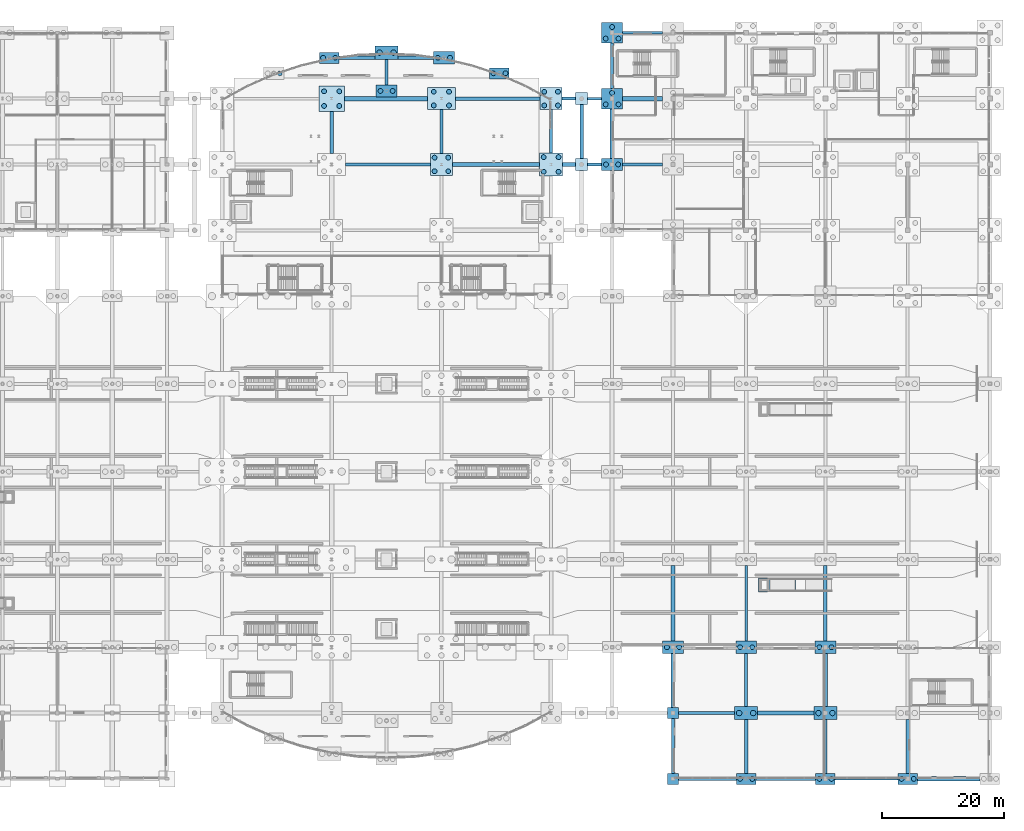
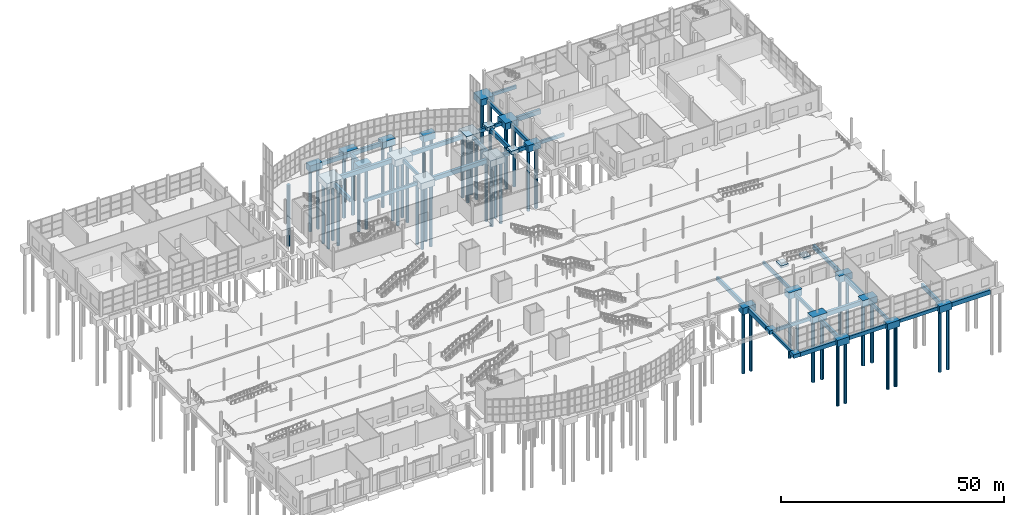
# One storey, part 6 of 115: 62 footings, 55 piles.
"""IFC4 building model written with IfcOpenShell, lengths in metres."""

from ifc_helpers import new_model, si_unit, direction, frame, origin, origin_2d, place, context, subcontext, project, spatial, rectangle, circle, extrude, material, material_profile, profile_set, type_object, element, save


model = new_model("IFC4")

# Units and contexts
model_context = context("Model", 3, precision=1e-05, world=origin(), true_north=direction((0.0, 1.0)))
body_context = subcontext(model_context, "Body", "Model", "MODEL_VIEW")
ifc_project = project(units=[si_unit("LENGTHUNIT", "METRE"), si_unit("AREAUNIT", "SQUARE_METRE"), si_unit("VOLUMEUNIT", "CUBIC_METRE"), si_unit("PLANEANGLEUNIT", "RADIAN"), si_unit("MASSUNIT", "GRAM", prefix="KILO")], contexts=[model_context])

# Site, building, storey
site_placement = place(None, origin())
site = spatial("IfcSite", under=ifc_project, at=site_placement, CompositionType="ELEMENT")
building_placement = place(site_placement, origin())
building = spatial("IfcBuilding", under=site, at=building_placement, Name="Tamarisk Ironworks Central Station", CompositionType="ELEMENT")
storey_placement = place(building_placement, origin())
storey = spatial("IfcBuildingStorey", under=building, at=storey_placement, Name="L00", CompositionType="ELEMENT", Elevation=0.0)

# Footings
ifc_material = material(Name="Concrete C40/50", Category="concrete")
footing_type_1 = type_object("IfcFootingType", Name="CAP-PC02", PredefinedType="PILE_CAP", material=ifc_material)
footing_1_placement = place(storey_placement, frame((90.0, 111.60009765625, -1.7998046875), z_axis=(0.0, 0.0, 1.0), x_axis=(1.0, 0.0, 0.0)))
element("IfcFooting", 1, at=footing_1_placement, inside=storey, type_object=footing_type_1, Name="Pile cap V2-12L", PredefinedType="PILE_CAP", context=body_context, shape_type="SweptSolid", body=[
    extrude(rectangle(XDim=4.60009765625, YDim=3.60009765625, at=origin_2d()), origin(), (0.0, 0.0, 1.0), 1.800048828125),
])
footing_type_2 = type_object("IfcFootingType", Name="CAP-PC03", PredefinedType="PILE_CAP", material=ifc_material)
footing_2_placement = place(storey_placement, frame((72.0, 111.60009765625, -1.7998046875), z_axis=(0.0, 0.0, 1.0), x_axis=(1.0, 0.0, 0.0)))
element("IfcFooting", 2, at=footing_2_placement, inside=storey, type_object=footing_type_2, Name="Pile cap V2-09L", PredefinedType="PILE_CAP", context=body_context, shape_type="SweptSolid", body=[
    extrude(rectangle(XDim=4.199951171875, YDim=4.199951171875, at=origin_2d()), origin(), (0.0, 0.0, 1.0), 1.800048828125),
])
footing_type_3 = type_object("IfcFootingType", Name="CAP-PC04", PredefinedType="PILE_CAP", material=ifc_material)
footing_3_placement = place(storey_placement, frame((108.0, 100.800048828125, -1.7998046875), z_axis=(0.0, 0.0, 1.0), x_axis=(1.0, 0.0, 0.0)))
element("IfcFooting", 3, at=footing_3_placement, inside=storey, type_object=footing_type_3, Name="Pile cap V2-14J", PredefinedType="PILE_CAP", context=body_context, shape_type="SweptSolid", body=[
    extrude(rectangle(XDim=3.800048828125, YDim=3.800048828125, at=origin_2d()), origin(), (0.0, 0.0, 1.0), 1.800048828125),
])
footing_type_4 = type_object("IfcFootingType", Name="CAP-PC05", PredefinedType="PILE_CAP", material=ifc_material)
for number, where, z_axis, x_axis, name in (
    (4, (90.0, 100.800048828125, -1.7998046875), (0.0, 0.0, 1.0), (1.0, 0.0, 0.0), "Pile cap V2-12J"),
    (5, (108.0, 111.60009765625, -1.7998046875), (0.0, 0.0, 1.0), (1.0, 0.0, 0.0), "Pile cap V2-14L"),
):
    element("IfcFooting", number, at=place(storey_placement, frame(where, z_axis=z_axis, x_axis=x_axis)), inside=storey, type_object=footing_type_4, Name=name, PredefinedType="PILE_CAP", context=body_context, shape_type="SweptSolid", body=[
        extrude(rectangle(XDim=3.60009765625, YDim=3.60009765625, at=origin_2d()), origin(), (0.0, 0.0, 1.0), 1.800048828125),
    ])
footing_type_5 = type_object("IfcFootingType", Name="CAP-PC06", PredefinedType="PILE_CAP", material=ifc_material)
for number, where, z_axis, x_axis, name in (
    (6, (118.0, 111.60009765625, -1.7998046875), (0.0, 0.0, 1.0), (1.0, 0.0, 0.0), "Pile cap V5-15L"),
    (7, (118.0, 122.39990234375, -1.7998046875), (0.0, 0.0, 1.0), (1.0, 0.0, 0.0), "Pile cap V5-15N"),
):
    element("IfcFooting", number, at=place(storey_placement, frame(where, z_axis=z_axis, x_axis=x_axis)), inside=storey, type_object=footing_type_5, Name=name, PredefinedType="PILE_CAP", context=body_context, shape_type="SweptSolid", body=[
        extrude(rectangle(XDim=3.39990234375, YDim=3.39990234375, at=origin_2d()), origin(), (0.0, 0.0, 1.0), 1.800048828125),
    ])
footing_type_6 = type_object("IfcFootingType", Name="CAP-PC07", PredefinedType="PILE_CAP", material=ifc_material)
for number, where, z_axis, x_axis, name in (
    (8, (81.0, 119.158935546875, -1.7998046875), (0.0, 0.0, 1.0), (1.0, 0.0, 0.0), "Pile cap V2-NN06"),
    (9, (140.0, 10.800048828125, -1.7998046875), (0.0, 0.0, 1.0), (1.0, 0.0, 0.0), "Pile cap V5S-17B"),
    (10, (153.0, 10.800048828125, -1.7998046875), (0.0, 0.0, 1.0), (1.0, 0.0, 0.0), "Pile cap V5S-18B"),
):
    element("IfcFooting", number, at=place(storey_placement, frame(where, z_axis=z_axis, x_axis=x_axis)), inside=storey, type_object=footing_type_6, Name=name, PredefinedType="PILE_CAP", context=body_context, shape_type="SweptSolid", body=[
        extrude(rectangle(XDim=3.800048828125, YDim=2.199951171875, at=origin_2d()), origin(), (0.0, 0.0, 1.0), 1.800048828125),
    ])
footing_type_7 = type_object("IfcFootingType", Name="CAP-PC08", PredefinedType="PILE_CAP", material=ifc_material)
for number, where, z_axis, x_axis, name in (
    (11, (81.0, 112.860107421875, -1.7998046875), (0.0, 0.0, 1.0), (1.0, 0.0, 0.0), "Pile cap V2-NAC"),
    (12, (90.410888671875, 118.30029296875, -1.7998046875), (0.0, 0.0, 1.0), (1.0, 0.0, 0.0), "Pile cap V2-NN08"),
    (13, (118.0, 100.800048828125, -1.7998046875), (0.0, 0.0, 1.0), (1.0, 0.0, 0.0), "Pile cap V5-15J"),
    (14, (128.0, 21.60009765625, -1.7998046875), (0.0, 0.0, 1.0), (1.0, 0.0, 0.0), "Pile cap V5S-16C"),
    (15, (140.0, 21.60009765625, -1.7998046875), (0.0, 0.0, 1.0), (1.0, 0.0, 0.0), "Pile cap V5S-17C"),
    (16, (153.0, 21.60009765625, -1.7998046875), (0.0, 0.0, 1.0), (1.0, 0.0, 0.0), "Pile cap V5S-18C"),
):
    element("IfcFooting", number, at=place(storey_placement, frame(where, z_axis=z_axis, x_axis=x_axis)), inside=storey, type_object=footing_type_7, Name=name, PredefinedType="PILE_CAP", context=body_context, shape_type="SweptSolid", body=[
        extrude(rectangle(XDim=3.39990234375, YDim=2.0, at=origin_2d()), origin(), (0.0, 0.0, 1.0), 1.800048828125),
    ])
footing_type_8 = type_object("IfcFootingType", Name="CAP-PC09", PredefinedType="PILE_CAP", material=ifc_material)
for number, where, z_axis, x_axis, name in (
    (17, (71.589111328125, 118.30029296875, -1.7998046875), (0.0, 0.0, 1.0), (1.0, 0.0, 0.0), "Pile cap V2-NN04"),
    (18, (99.51123046875, 115.752685546875, -1.7998046875), (0.0, 0.0, 1.0), (1.0, 0.0, 0.0), "Pile cap V2-NN10"),
    (19, (140.0, 0.0, -1.7998046875), (0.0, 0.0, 1.0), (1.0, 0.0, 0.0), "Pile cap V5S-17A"),
    (20, (153.0, 0.0, -1.7998046875), (0.0, 0.0, 1.0), (1.0, 0.0, 0.0), "Pile cap V5S-18A"),
    (21, (166.5, 0.0, -1.7998046875), (0.0, 0.0, 1.0), (1.0, 0.0, 0.0), "Pile cap V5S-19A"),
):
    element("IfcFooting", number, at=place(storey_placement, frame(where, z_axis=z_axis, x_axis=x_axis)), inside=storey, type_object=footing_type_8, Name=name, PredefinedType="PILE_CAP", context=body_context, shape_type="SweptSolid", body=[
        extrude(rectangle(XDim=3.199951171875, YDim=1.800048828125, at=origin_2d()), origin(), (0.0, 0.0, 1.0), 1.800048828125),
    ])
ifc_material_profile_1 = material_profile(ifc_material, rectangle(XDim=0.699951171875, YDim=1.199951171875, at=origin_2d()), Name="GB01 700x1200")
ifc_profile_set_1 = profile_set([ifc_material_profile_1], Name="Concrete C40/50")
footing_type_9 = type_object("IfcFootingType", Name="GB-01", PredefinedType="FOOTING_BEAM", material=ifc_profile_set_1)
footing_4_placement = place(storey_placement, frame((168.10009765625, 0.0, -1.050048828125), z_axis=(1.0, 0.0, 0.0), x_axis=(0.0, 1.0, 0.0)))
element("IfcFooting", 22, at=footing_4_placement, inside=storey, type_object=footing_type_9, Name="Ground tie beam GB-X-009", PredefinedType="FOOTING_BEAM", context=body_context, shape_type="SweptSolid", body=[
    extrude(rectangle(XDim=0.699951171875, YDim=1.199951171875, at=origin_2d()), origin(), (0.0, 0.0, 1.0), 10.2998046875),
])
footing_5_placement = place(storey_placement, frame((141.89990234375, 10.800048828125, -1.050048828125), z_axis=(1.0, 0.0, 0.0), x_axis=(0.0, 1.0, 0.0)))
element("IfcFooting", 23, at=footing_5_placement, inside=storey, type_object=footing_type_9, Name="Ground tie beam GB-X-025", PredefinedType="FOOTING_BEAM", context=body_context, shape_type="SweptSolid", body=[
    extrude(rectangle(XDim=0.699951171875, YDim=1.199951171875, at=origin_2d()), origin(), (0.0, 0.0, 1.0), 9.2001953125),
])
footing_6_placement = place(storey_placement, frame((91.800048828125, 100.800048828125, -1.050048828125), z_axis=(1.0, 0.0, 0.0), x_axis=(0.0, 1.0, 0.0)))
element("IfcFooting", 24, at=footing_6_placement, inside=storey, type_object=footing_type_9, Name="Ground tie beam GB-X-097", PredefinedType="FOOTING_BEAM", context=body_context, shape_type="SweptSolid", body=[
    extrude(rectangle(XDim=0.699951171875, YDim=1.199951171875, at=origin_2d()), origin(), (0.0, 0.0, 1.0), 14.300048828125),
])
footing_7_placement = place(storey_placement, frame((74.10009765625, 111.60009765625, -1.050048828125), z_axis=(1.0, 0.0, 0.0), x_axis=(0.0, 1.0, 0.0)))
element("IfcFooting", 25, at=footing_7_placement, inside=storey, type_object=footing_type_9, Name="Ground tie beam GB-X-113", PredefinedType="FOOTING_BEAM", context=body_context, shape_type="SweptSolid", body=[
    extrude(rectangle(XDim=0.699951171875, YDim=1.199951171875, at=origin_2d()), origin(), (0.0, 0.0, 1.0), 13.599853515625),
])
footing_8_placement = place(storey_placement, frame((119.699951171875, 111.60009765625, -1.050048828125), z_axis=(1.0, 0.0, 0.0), x_axis=(0.0, 1.0, 0.0)))
element("IfcFooting", 26, at=footing_8_placement, inside=storey, type_object=footing_type_9, Name="Ground tie beam GB-X-117", PredefinedType="FOOTING_BEAM", context=body_context, shape_type="SweptSolid", body=[
    extrude(rectangle(XDim=0.699951171875, YDim=1.199951171875, at=origin_2d()), origin(), (0.0, 0.0, 1.0), 6.60009765625),
])
footing_9_placement = place(storey_placement, frame((128.0, 11.699951171875, -1.050048828125), z_axis=(0.0, 1.0, 0.0), x_axis=(-1.0, 0.0, 0.0)))
element("IfcFooting", 27, at=footing_9_placement, inside=storey, type_object=footing_type_9, Name="Ground tie beam GB-Y-241", PredefinedType="FOOTING_BEAM", context=body_context, shape_type="SweptSolid", body=[
    extrude(rectangle(XDim=0.699951171875, YDim=1.199951171875, at=origin_2d()), origin(), (0.0, 0.0, 1.0), 8.900146484375),
])
footing_10_placement = place(storey_placement, frame((153.0, 11.89990234375, -1.050048828125), z_axis=(0.0, 1.0, 0.0), x_axis=(-1.0, 0.0, 0.0)))
element("IfcFooting", 28, at=footing_10_placement, inside=storey, type_object=footing_type_9, Name="Ground tie beam GB-Y-261", PredefinedType="FOOTING_BEAM", context=body_context, shape_type="SweptSolid", body=[
    extrude(rectangle(XDim=0.699951171875, YDim=1.199951171875, at=origin_2d()), origin(), (0.0, 0.0, 1.0), 8.7001953125),
])
ifc_material_profile_2 = material_profile(ifc_material, rectangle(XDim=0.60009765625, YDim=1.10009765625, at=origin_2d()), Name="GB02 600x1100")
ifc_profile_set_2 = profile_set([ifc_material_profile_2], Name="Concrete C40/50")
footing_type_10 = type_object("IfcFootingType", Name="GB-02", PredefinedType="FOOTING_BEAM", material=ifc_profile_set_2)
footing_11_placement = place(storey_placement, frame((128.89990234375, 0.0, -1.0), z_axis=(1.0, 0.0, 0.0), x_axis=(0.0, 1.0, 0.0)))
element("IfcFooting", 29, at=footing_11_placement, inside=storey, type_object=footing_type_10, Name="Ground tie beam GB-X-006", PredefinedType="FOOTING_BEAM", context=body_context, shape_type="SweptSolid", body=[
    extrude(rectangle(XDim=0.60009765625, YDim=1.10009765625, at=origin_2d()), origin(), (0.0, 0.0, 1.0), 9.5),
])
footing_12_placement = place(storey_placement, frame((109.89990234375, 100.800048828125, -1.0), z_axis=(1.0, 0.0, 0.0), x_axis=(0.0, 1.0, 0.0)))
element("IfcFooting", 30, at=footing_12_placement, inside=storey, type_object=footing_type_10, Name="Ground tie beam GB-X-098", PredefinedType="FOOTING_BEAM", context=body_context, shape_type="SweptSolid", body=[
    extrude(rectangle(XDim=0.60009765625, YDim=1.10009765625, at=origin_2d()), origin(), (0.0, 0.0, 1.0), 2.10009765625),
])
footing_13_placement = place(storey_placement, frame((92.300048828125, 111.60009765625, -1.0), z_axis=(1.0, 0.0, 0.0), x_axis=(0.0, 1.0, 0.0)))
element("IfcFooting", 31, at=footing_13_placement, inside=storey, type_object=footing_type_10, Name="Ground tie beam GB-X-114", PredefinedType="FOOTING_BEAM", context=body_context, shape_type="SweptSolid", body=[
    extrude(rectangle(XDim=0.60009765625, YDim=1.10009765625, at=origin_2d()), origin(), (0.0, 0.0, 1.0), 13.89990234375),
])
footing_14_placement = place(storey_placement, frame((73.18896484375, 118.30029296875, -1.0), z_axis=(1.0, 0.0, 0.0), x_axis=(0.0, 1.0, 0.0)))
element("IfcFooting", 32, at=footing_14_placement, inside=storey, type_object=footing_type_10, Name="Ground tie beam GB-X-122", PredefinedType="FOOTING_BEAM", context=body_context, shape_type="SweptSolid", body=[
    extrude(rectangle(XDim=0.60009765625, YDim=1.10009765625, at=origin_2d()), origin(), (0.0, 0.0, 1.0), 15.52197265625),
])
footing_15_placement = place(storey_placement, frame((72.0, 102.60009765625, -1.0), z_axis=(0.0, 1.0, 0.0), x_axis=(-1.0, 0.0, 0.0)))
element("IfcFooting", 33, at=footing_15_placement, inside=storey, type_object=footing_type_10, Name="Ground tie beam GB-Y-210", PredefinedType="FOOTING_BEAM", context=body_context, shape_type="SweptSolid", body=[
    extrude(rectangle(XDim=0.60009765625, YDim=1.10009765625, at=origin_2d()), origin(), (0.0, 0.0, 1.0), 6.89990234375),
])
footing_16_placement = place(storey_placement, frame((113.0, 101.800048828125, -1.0), z_axis=(0.0, 1.0, 0.0), x_axis=(-1.0, 0.0, 0.0)))
element("IfcFooting", 34, at=footing_16_placement, inside=storey, type_object=footing_type_10, Name="Ground tie beam GB-Y-230", PredefinedType="FOOTING_BEAM", context=body_context, shape_type="SweptSolid", body=[
    extrude(rectangle(XDim=0.60009765625, YDim=1.10009765625, at=origin_2d()), origin(), (0.0, 0.0, 1.0), 8.800048828125),
])
footing_17_placement = place(storey_placement, frame((118.0, 101.800048828125, -1.0), z_axis=(0.0, 1.0, 0.0), x_axis=(-1.0, 0.0, 0.0)))
element("IfcFooting", 35, at=footing_17_placement, inside=storey, type_object=footing_type_10, Name="Ground tie beam GB-Y-238", PredefinedType="FOOTING_BEAM", context=body_context, shape_type="SweptSolid", body=[
    extrude(rectangle(XDim=0.60009765625, YDim=1.10009765625, at=origin_2d()), origin(), (0.0, 0.0, 1.0), 8.099853515625),
])
footing_18_placement = place(storey_placement, frame((128.0, 22.60009765625, -1.0), z_axis=(0.0, 1.0, 0.0), x_axis=(-1.0, 0.0, 0.0)))
element("IfcFooting", 36, at=footing_18_placement, inside=storey, type_object=footing_type_10, Name="Ground tie beam GB-Y-242", PredefinedType="FOOTING_BEAM", context=body_context, shape_type="SweptSolid", body=[
    extrude(rectangle(XDim=0.60009765625, YDim=1.10009765625, at=origin_2d()), origin(), (0.0, 0.0, 1.0), 12.39990234375),
])
footing_19_placement = place(storey_placement, frame((140.0, 0.89990234375, -1.0), z_axis=(0.0, 1.0, 0.0), x_axis=(-1.0, 0.0, 0.0)))
element("IfcFooting", 37, at=footing_19_placement, inside=storey, type_object=footing_type_10, Name="Ground tie beam GB-Y-250", PredefinedType="FOOTING_BEAM", context=body_context, shape_type="SweptSolid", body=[
    extrude(rectangle(XDim=0.60009765625, YDim=1.10009765625, at=origin_2d()), origin(), (0.0, 0.0, 1.0), 8.800048828125),
])
footing_20_placement = place(storey_placement, frame((153.0, 22.60009765625, -1.0), z_axis=(0.0, 1.0, 0.0), x_axis=(-1.0, 0.0, 0.0)))
element("IfcFooting", 38, at=footing_20_placement, inside=storey, type_object=footing_type_10, Name="Ground tie beam GB-Y-262", PredefinedType="FOOTING_BEAM", context=body_context, shape_type="SweptSolid", body=[
    extrude(rectangle(XDim=0.60009765625, YDim=1.10009765625, at=origin_2d()), origin(), (0.0, 0.0, 1.0), 12.39990234375),
])
footing_21_placement = place(storey_placement, frame((166.5, 0.89990234375, -1.0), z_axis=(0.0, 1.0, 0.0), x_axis=(-1.0, 0.0, 0.0)))
element("IfcFooting", 39, at=footing_21_placement, inside=storey, type_object=footing_type_10, Name="Ground tie beam GB-Y-270", PredefinedType="FOOTING_BEAM", context=body_context, shape_type="SweptSolid", body=[
    extrude(rectangle(XDim=0.60009765625, YDim=1.10009765625, at=origin_2d()), origin(), (0.0, 0.0, 1.0), 8.800048828125),
])
ifc_material_profile_3 = material_profile(ifc_material, rectangle(XDim=0.5, YDim=1.0, at=origin_2d()), Name="GB03 500x1000")
ifc_profile_set_3 = profile_set([ifc_material_profile_3], Name="Concrete C40/50")
footing_type_11 = type_object("IfcFootingType", Name="GB-03", PredefinedType="FOOTING_BEAM", material=ifc_profile_set_3)
footing_22_placement = place(storey_placement, frame((141.60009765625, 0.0, -0.949951171875), z_axis=(1.0, 0.0, 0.0), x_axis=(0.0, 1.0, 0.0)))
element("IfcFooting", 40, at=footing_22_placement, inside=storey, type_object=footing_type_11, Name="Ground tie beam GB-X-007", PredefinedType="FOOTING_BEAM", context=body_context, shape_type="SweptSolid", body=[
    extrude(rectangle(XDim=0.5, YDim=1.0, at=origin_2d()), origin(), (0.0, 0.0, 1.0), 9.7998046875),
])
footing_23_placement = place(storey_placement, frame((114.0, 100.800048828125, -0.949951171875), z_axis=(1.0, 0.0, 0.0), x_axis=(0.0, 1.0, 0.0)))
element("IfcFooting", 41, at=footing_23_placement, inside=storey, type_object=footing_type_11, Name="Ground tie beam GB-X-099", PredefinedType="FOOTING_BEAM", context=body_context, shape_type="SweptSolid", body=[
    extrude(rectangle(XDim=0.5, YDim=1.0, at=origin_2d()), origin(), (0.0, 0.0, 1.0), 2.300048828125),
])
footing_24_placement = place(storey_placement, frame((109.800048828125, 111.60009765625, -0.949951171875), z_axis=(1.0, 0.0, 0.0), x_axis=(0.0, 1.0, 0.0)))
element("IfcFooting", 42, at=footing_24_placement, inside=storey, type_object=footing_type_11, Name="Ground tie beam GB-X-115", PredefinedType="FOOTING_BEAM", context=body_context, shape_type="SweptSolid", body=[
    extrude(rectangle(XDim=0.5, YDim=1.0, at=origin_2d()), origin(), (0.0, 0.0, 1.0), 2.199951171875),
])
footing_25_placement = place(storey_placement, frame((118.0, 113.300048828125, -0.949951171875), z_axis=(0.0, 1.0, 0.0), x_axis=(-1.0, 0.0, 0.0)))
element("IfcFooting", 43, at=footing_25_placement, inside=storey, type_object=footing_type_11, Name="Ground tie beam GB-Y-239", PredefinedType="FOOTING_BEAM", context=body_context, shape_type="SweptSolid", body=[
    extrude(rectangle(XDim=0.5, YDim=1.0, at=origin_2d()), origin(), (0.0, 0.0, 1.0), 7.39990234375),
])
footing_26_placement = place(storey_placement, frame((140.0, 11.89990234375, -0.949951171875), z_axis=(0.0, 1.0, 0.0), x_axis=(-1.0, 0.0, 0.0)))
element("IfcFooting", 44, at=footing_26_placement, inside=storey, type_object=footing_type_11, Name="Ground tie beam GB-Y-251", PredefinedType="FOOTING_BEAM", context=body_context, shape_type="SweptSolid", body=[
    extrude(rectangle(XDim=0.5, YDim=1.0, at=origin_2d()), origin(), (0.0, 0.0, 1.0), 8.7001953125),
])
ifc_material_profile_4 = material_profile(ifc_material, rectangle(XDim=0.449951171875, YDim=0.89990234375, at=origin_2d()), Name="GB04 450x900")
ifc_profile_set_4 = profile_set([ifc_material_profile_4], Name="Concrete C40/50")
footing_type_12 = type_object("IfcFootingType", Name="GB-04", PredefinedType="FOOTING_BEAM", material=ifc_profile_set_4)
footing_27_placement = place(storey_placement, frame((154.60009765625, 0.0, -0.89990234375), z_axis=(1.0, 0.0, 0.0), x_axis=(0.0, 1.0, 0.0)))
element("IfcFooting", 45, at=footing_27_placement, inside=storey, type_object=footing_type_12, Name="Ground tie beam GB-X-008", PredefinedType="FOOTING_BEAM", context=body_context, shape_type="SweptSolid", body=[
    extrude(rectangle(XDim=0.449951171875, YDim=0.89990234375, at=origin_2d()), origin(), (0.0, 0.0, 1.0), 10.2998046875),
])
footing_28_placement = place(storey_placement, frame((128.89990234375, 10.800048828125, -0.89990234375), z_axis=(1.0, 0.0, 0.0), x_axis=(0.0, 1.0, 0.0)))
element("IfcFooting", 46, at=footing_28_placement, inside=storey, type_object=footing_type_12, Name="Ground tie beam GB-X-024", PredefinedType="FOOTING_BEAM", context=body_context, shape_type="SweptSolid", body=[
    extrude(rectangle(XDim=0.449951171875, YDim=0.89990234375, at=origin_2d()), origin(), (0.0, 0.0, 1.0), 9.2001953125),
])
footing_29_placement = place(storey_placement, frame((74.300048828125, 100.800048828125, -0.89990234375), z_axis=(1.0, 0.0, 0.0), x_axis=(0.0, 1.0, 0.0)))
element("IfcFooting", 47, at=footing_29_placement, inside=storey, type_object=footing_type_12, Name="Ground tie beam GB-X-096", PredefinedType="FOOTING_BEAM", context=body_context, shape_type="SweptSolid", body=[
    extrude(rectangle(XDim=0.449951171875, YDim=0.89990234375, at=origin_2d()), origin(), (0.0, 0.0, 1.0), 13.89990234375),
])
footing_30_placement = place(storey_placement, frame((119.699951171875, 100.800048828125, -0.89990234375), z_axis=(1.0, 0.0, 0.0), x_axis=(0.0, 1.0, 0.0)))
element("IfcFooting", 48, at=footing_30_placement, inside=storey, type_object=footing_type_12, Name="Ground tie beam GB-X-100", PredefinedType="FOOTING_BEAM", context=body_context, shape_type="SweptSolid", body=[
    extrude(rectangle(XDim=0.449951171875, YDim=0.89990234375, at=origin_2d()), origin(), (0.0, 0.0, 1.0), 6.60009765625),
])
footing_31_placement = place(storey_placement, frame((114.0, 111.60009765625, -0.89990234375), z_axis=(1.0, 0.0, 0.0), x_axis=(0.0, 1.0, 0.0)))
element("IfcFooting", 49, at=footing_31_placement, inside=storey, type_object=footing_type_12, Name="Ground tie beam GB-X-116", PredefinedType="FOOTING_BEAM", context=body_context, shape_type="SweptSolid", body=[
    extrude(rectangle(XDim=0.449951171875, YDim=0.89990234375, at=origin_2d()), origin(), (0.0, 0.0, 1.0), 2.300048828125),
])
footing_32_placement = place(storey_placement, frame((119.699951171875, 122.39990234375, -0.89990234375), z_axis=(1.0, 0.0, 0.0), x_axis=(0.0, 1.0, 0.0)))
element("IfcFooting", 50, at=footing_32_placement, inside=storey, type_object=footing_type_12, Name="Ground tie beam GB-X-128", PredefinedType="FOOTING_BEAM", context=body_context, shape_type="SweptSolid", body=[
    extrude(rectangle(XDim=0.449951171875, YDim=0.89990234375, at=origin_2d()), origin(), (0.0, 0.0, 1.0), 6.60009765625),
])
footing_33_placement = place(storey_placement, frame((81.0, 113.860107421875, -0.89990234375), z_axis=(0.0, 1.0, 0.0), x_axis=(-1.0, 0.0, 0.0)))
element("IfcFooting", 51, at=footing_33_placement, inside=storey, type_object=footing_type_12, Name="Ground tie beam GB-Y-212", PredefinedType="FOOTING_BEAM", context=body_context, shape_type="SweptSolid", body=[
    extrude(rectangle(XDim=0.449951171875, YDim=0.89990234375, at=origin_2d()), origin(), (0.0, 0.0, 1.0), 4.198974609375),
])
footing_34_placement = place(storey_placement, frame((90.0, 102.60009765625, -0.89990234375), z_axis=(0.0, 1.0, 0.0), x_axis=(-1.0, 0.0, 0.0)))
element("IfcFooting", 52, at=footing_34_placement, inside=storey, type_object=footing_type_12, Name="Ground tie beam GB-Y-220", PredefinedType="FOOTING_BEAM", context=body_context, shape_type="SweptSolid", body=[
    extrude(rectangle(XDim=0.449951171875, YDim=0.89990234375, at=origin_2d()), origin(), (0.0, 0.0, 1.0), 7.199951171875),
])
footing_35_placement = place(storey_placement, frame((108.0, 102.699951171875, -0.89990234375), z_axis=(0.0, 1.0, 0.0), x_axis=(-1.0, 0.0, 0.0)))
element("IfcFooting", 53, at=footing_35_placement, inside=storey, type_object=footing_type_12, Name="Ground tie beam GB-Y-228", PredefinedType="FOOTING_BEAM", context=body_context, shape_type="SweptSolid", body=[
    extrude(rectangle(XDim=0.449951171875, YDim=0.89990234375, at=origin_2d()), origin(), (0.0, 0.0, 1.0), 7.10009765625),
])
footing_36_placement = place(storey_placement, frame((128.0, 0.89990234375, -0.89990234375), z_axis=(0.0, 1.0, 0.0), x_axis=(-1.0, 0.0, 0.0)))
element("IfcFooting", 54, at=footing_36_placement, inside=storey, type_object=footing_type_12, Name="Ground tie beam GB-Y-240", PredefinedType="FOOTING_BEAM", context=body_context, shape_type="SweptSolid", body=[
    extrude(rectangle(XDim=0.449951171875, YDim=0.89990234375, at=origin_2d()), origin(), (0.0, 0.0, 1.0), 9.0),
])
footing_37_placement = place(storey_placement, frame((140.0, 22.60009765625, -0.89990234375), z_axis=(0.0, 1.0, 0.0), x_axis=(-1.0, 0.0, 0.0)))
element("IfcFooting", 55, at=footing_37_placement, inside=storey, type_object=footing_type_12, Name="Ground tie beam GB-Y-252", PredefinedType="FOOTING_BEAM", context=body_context, shape_type="SweptSolid", body=[
    extrude(rectangle(XDim=0.449951171875, YDim=0.89990234375, at=origin_2d()), origin(), (0.0, 0.0, 1.0), 12.39990234375),
])
footing_38_placement = place(storey_placement, frame((153.0, 0.89990234375, -0.89990234375), z_axis=(0.0, 1.0, 0.0), x_axis=(-1.0, 0.0, 0.0)))
element("IfcFooting", 56, at=footing_38_placement, inside=storey, type_object=footing_type_12, Name="Ground tie beam GB-Y-260", PredefinedType="FOOTING_BEAM", context=body_context, shape_type="SweptSolid", body=[
    extrude(rectangle(XDim=0.449951171875, YDim=0.89990234375, at=origin_2d()), origin(), (0.0, 0.0, 1.0), 8.800048828125),
])
footing_type_13 = type_object("IfcFootingType", Name="PAD-PF01", PredefinedType="PAD_FOOTING", material=ifc_material)
footing_39_placement = place(storey_placement, frame((142.9599609375, 31.800048828125, -0.60009765625), z_axis=(0.0, 0.0, 1.0), x_axis=(1.0, 0.0, 0.0)))
element("IfcFooting", 57, at=footing_39_placement, inside=storey, type_object=footing_type_13, Name="RMP-P2E arrival landing pad footing", PredefinedType="PAD_FOOTING", context=body_context, shape_type="SweptSolid", body=[
    extrude(rectangle(XDim=1.89990234375, YDim=2.280029296875, at=origin_2d()), origin(), (0.0, 0.0, 1.0), 0.60009765625),
])
footing_type_14 = type_object("IfcFootingType", Name="PAD-PF02", PredefinedType="PAD_FOOTING", material=ifc_material)
footing_40_placement = place(storey_placement, frame((148.8798828125, 31.800048828125, -0.5), z_axis=(0.0, 0.0, 1.0), x_axis=(1.0, 0.0, 0.0)))
element("IfcFooting", 58, at=footing_40_placement, inside=storey, type_object=footing_type_14, Name="RMP-P2E mid-landing plinth footing", PredefinedType="PAD_FOOTING", context=body_context, shape_type="SweptSolid", body=[
    extrude(rectangle(XDim=1.760009765625, YDim=2.080078125, at=origin_2d()), origin(), (0.0, 0.0, 1.0), 0.699951171875),
])
footing_type_15 = type_object("IfcFootingType", Name="PAD-PF03", PredefinedType="PAD_FOOTING", material=ifc_material)
for number, where, z_axis, x_axis, name in (
    (59, (113.0, 100.800048828125, -1.0), (0.0, 0.0, 1.0), (1.0, 0.0, 0.0), "Pad footing CN-E2"),
    (60, (113.0, 111.60009765625, -1.0), (0.0, 0.0, 1.0), (1.0, 0.0, 0.0), "Pad footing CN-E3"),
):
    element("IfcFooting", number, at=place(storey_placement, frame(where, z_axis=z_axis, x_axis=x_axis)), inside=storey, type_object=footing_type_15, Name=name, PredefinedType="PAD_FOOTING", context=body_context, shape_type="SweptSolid", body=[
        extrude(rectangle(XDim=2.0, YDim=2.0, at=origin_2d()), origin(), (0.0, 0.0, 1.0), 1.0),
    ])
footing_type_16 = type_object("IfcFootingType", Name="PAD-PF04", PredefinedType="PAD_FOOTING", material=ifc_material)
for number, where, z_axis, x_axis, name in (
    (61, (128.0, 0.0, -1.0), (0.0, 0.0, 1.0), (1.0, 0.0, 0.0), "Pad footing V5S-16A"),
    (62, (128.0, 10.800048828125, -1.0), (0.0, 0.0, 1.0), (1.0, 0.0, 0.0), "Pad footing V5S-16B"),
):
    element("IfcFooting", number, at=place(storey_placement, frame(where, z_axis=z_axis, x_axis=x_axis)), inside=storey, type_object=footing_type_16, Name=name, PredefinedType="PAD_FOOTING", context=body_context, shape_type="SweptSolid", body=[
        extrude(rectangle(XDim=1.800048828125, YDim=1.800048828125, at=origin_2d()), origin(), (0.0, 0.0, 1.0), 1.0),
    ])

# Piles
ifc_material_profile_5 = material_profile(ifc_material, circle(Radius=0.39990234375, at=origin_2d()), Name="BORED PILE D800")
ifc_profile_set_5 = profile_set([ifc_material_profile_5], Name="Concrete C40/50")
pile_type_1 = type_object("IfcPileType", Name="PILE-D800", PredefinedType="BORED", material=ifc_profile_set_5)
for number, where, z_axis, x_axis, name in (
    (63, (70.75, 110.39990234375, -1.64990234375), (0.0, 0.0, -1.0), (1.0, 0.0, 0.0), "Bored pile V2-09L-1"),
    (64, (73.25, 110.39990234375, -1.64990234375), (0.0, 0.0, -1.0), (1.0, 0.0, 0.0), "Bored pile V2-09L-2"),
    (65, (70.75, 112.800048828125, -1.64990234375), (0.0, 0.0, -1.0), (1.0, 0.0, 0.0), "Bored pile V2-09L-3"),
    (66, (73.25, 112.800048828125, -1.64990234375), (0.0, 0.0, -1.0), (1.0, 0.0, 0.0), "Bored pile V2-09L-4"),
    (67, (88.8798828125, 99.679931640625, -1.64990234375), (0.0, 0.0, -1.0), (1.0, 0.0, 0.0), "Bored pile V2-12J-1"),
    (68, (91.1201171875, 99.679931640625, -1.64990234375), (0.0, 0.0, -1.0), (1.0, 0.0, 0.0), "Bored pile V2-12J-2"),
    (69, (88.8798828125, 101.919921875, -1.64990234375), (0.0, 0.0, -1.0), (1.0, 0.0, 0.0), "Bored pile V2-12J-3"),
    (70, (91.1201171875, 101.919921875, -1.64990234375), (0.0, 0.0, -1.0), (1.0, 0.0, 0.0), "Bored pile V2-12J-4"),
    (71, (88.75, 110.47998046875, -1.64990234375), (0.0, 0.0, -1.0), (1.0, 0.0, 0.0), "Bored pile V2-12L-1"),
    (72, (91.25, 110.47998046875, -1.64990234375), (0.0, 0.0, -1.0), (1.0, 0.0, 0.0), "Bored pile V2-12L-2"),
    (73, (88.75, 112.719970703125, -1.64990234375), (0.0, 0.0, -1.0), (1.0, 0.0, 0.0), "Bored pile V2-12L-3"),
    (74, (91.25, 112.719970703125, -1.64990234375), (0.0, 0.0, -1.0), (1.0, 0.0, 0.0), "Bored pile V2-12L-4"),
    (75, (106.780029296875, 99.60009765625, -1.64990234375), (0.0, 0.0, -1.0), (1.0, 0.0, 0.0), "Bored pile V2-14J-1"),
    (76, (109.219970703125, 99.60009765625, -1.64990234375), (0.0, 0.0, -1.0), (1.0, 0.0, 0.0), "Bored pile V2-14J-2"),
    (77, (106.780029296875, 102.0, -1.64990234375), (0.0, 0.0, -1.0), (1.0, 0.0, 0.0), "Bored pile V2-14J-3"),
    (78, (109.219970703125, 102.0, -1.64990234375), (0.0, 0.0, -1.0), (1.0, 0.0, 0.0), "Bored pile V2-14J-4"),
    (79, (106.8798828125, 110.47998046875, -1.64990234375), (0.0, 0.0, -1.0), (1.0, 0.0, 0.0), "Bored pile V2-14L-1"),
    (80, (109.1201171875, 110.47998046875, -1.64990234375), (0.0, 0.0, -1.0), (1.0, 0.0, 0.0), "Bored pile V2-14L-2"),
    (81, (106.8798828125, 112.719970703125, -1.64990234375), (0.0, 0.0, -1.0), (1.0, 0.0, 0.0), "Bored pile V2-14L-3"),
    (82, (109.1201171875, 112.719970703125, -1.64990234375), (0.0, 0.0, -1.0), (1.0, 0.0, 0.0), "Bored pile V2-14L-4"),
    (83, (80.0, 112.860107421875, -1.64990234375), (0.0, 0.0, -1.0), (1.0, 0.0, 0.0), "Bored pile V2-NAC-1"),
    (84, (82.0, 112.860107421875, -1.64990234375), (0.0, 0.0, -1.0), (1.0, 0.0, 0.0), "Bored pile V2-NAC-2"),
    (85, (63.48876953125, 115.752685546875, -1.64990234375), (0.0, 0.0, -1.0), (1.0, 0.0, 0.0), "Bored pile V2-NN02-2"),
    (86, (70.589111328125, 118.30029296875, -1.64990234375), (0.0, 0.0, -1.0), (1.0, 0.0, 0.0), "Bored pile V2-NN04-1"),
    (87, (72.589111328125, 118.30029296875, -1.64990234375), (0.0, 0.0, -1.0), (1.0, 0.0, 0.0), "Bored pile V2-NN04-2"),
    (88, (89.410888671875, 118.30029296875, -1.64990234375), (0.0, 0.0, -1.0), (1.0, 0.0, 0.0), "Bored pile V2-NN08-1"),
    (89, (91.410888671875, 118.30029296875, -1.64990234375), (0.0, 0.0, -1.0), (1.0, 0.0, 0.0), "Bored pile V2-NN08-2"),
    (90, (98.51123046875, 115.752685546875, -1.64990234375), (0.0, 0.0, -1.0), (1.0, 0.0, 0.0), "Bored pile V2-NN10-1"),
    (91, (100.51123046875, 115.752685546875, -1.64990234375), (0.0, 0.0, -1.0), (1.0, 0.0, 0.0), "Bored pile V2-NN10-2"),
    (92, (117.0, 100.800048828125, -1.64990234375), (0.0, 0.0, -1.0), (1.0, 0.0, 0.0), "Bored pile V5-15J-1"),
    (93, (119.0, 100.800048828125, -1.64990234375), (0.0, 0.0, -1.0), (1.0, 0.0, 0.0), "Bored pile V5-15J-2"),
    (94, (116.949951171875, 110.64990234375, -1.64990234375), (0.0, 0.0, -1.0), (1.0, 0.0, 0.0), "Bored pile V5-15L-1"),
    (95, (119.050048828125, 110.64990234375, -1.64990234375), (0.0, 0.0, -1.0), (1.0, 0.0, 0.0), "Bored pile V5-15L-2"),
    (96, (118.0, 112.550048828125, -1.64990234375), (0.0, 0.0, -1.0), (1.0, 0.0, 0.0), "Bored pile V5-15L-3"),
    (97, (116.949951171875, 121.449951171875, -1.64990234375), (0.0, 0.0, -1.0), (1.0, 0.0, 0.0), "Bored pile V5-15N-1"),
    (98, (119.050048828125, 121.449951171875, -1.64990234375), (0.0, 0.0, -1.0), (1.0, 0.0, 0.0), "Bored pile V5-15N-2"),
    (99, (118.0, 123.35009765625, -1.64990234375), (0.0, 0.0, -1.0), (1.0, 0.0, 0.0), "Bored pile V5-15N-3"),
    (100, (127.0, 21.60009765625, -1.64990234375), (0.0, 0.0, -1.0), (1.0, 0.0, 0.0), "Bored pile V5S-16C-1"),
    (101, (129.0, 21.60009765625, -1.64990234375), (0.0, 0.0, -1.0), (1.0, 0.0, 0.0), "Bored pile V5S-16C-2"),
    (102, (139.0, 0.0, -1.64990234375), (0.0, 0.0, -1.0), (1.0, 0.0, 0.0), "Bored pile V5S-17A-1"),
    (103, (141.0, 0.0, -1.64990234375), (0.0, 0.0, -1.0), (1.0, 0.0, 0.0), "Bored pile V5S-17A-2"),
    (104, (139.0, 21.60009765625, -1.64990234375), (0.0, 0.0, -1.0), (1.0, 0.0, 0.0), "Bored pile V5S-17C-1"),
    (105, (141.0, 21.60009765625, -1.64990234375), (0.0, 0.0, -1.0), (1.0, 0.0, 0.0), "Bored pile V5S-17C-2"),
    (106, (152.0, 0.0, -1.64990234375), (0.0, 0.0, -1.0), (1.0, 0.0, 0.0), "Bored pile V5S-18A-1"),
    (107, (154.0, 0.0, -1.64990234375), (0.0, 0.0, -1.0), (1.0, 0.0, 0.0), "Bored pile V5S-18A-2"),
    (108, (152.0, 21.60009765625, -1.64990234375), (0.0, 0.0, -1.0), (1.0, 0.0, 0.0), "Bored pile V5S-18C-1"),
    (109, (154.0, 21.60009765625, -1.64990234375), (0.0, 0.0, -1.0), (1.0, 0.0, 0.0), "Bored pile V5S-18C-2"),
    (110, (165.5, 0.0, -1.64990234375), (0.0, 0.0, -1.0), (1.0, 0.0, 0.0), "Bored pile V5S-19A-1"),
    (111, (167.5, 0.0, -1.64990234375), (0.0, 0.0, -1.0), (1.0, 0.0, 0.0), "Bored pile V5S-19A-2"),
):
    element("IfcPile", number, at=place(storey_placement, frame(where, z_axis=z_axis, x_axis=x_axis)), inside=storey, type_object=pile_type_1, Name=name, PredefinedType="BORED", context=body_context, shape_type="SweptSolid", body=[
        extrude(circle(Radius=0.39990234375, at=origin_2d()), origin(), (0.0, 0.0, 1.0), 16.85009765625),
    ])
ifc_material_profile_6 = material_profile(ifc_material, circle(Radius=0.449951171875, at=origin_2d()), Name="BORED PILE D900")
ifc_profile_set_6 = profile_set([ifc_material_profile_6], Name="Concrete C40/50")
pile_type_2 = type_object("IfcPileType", Name="PILE-D900", PredefinedType="BORED", material=ifc_profile_set_6)
for number, where, z_axis, x_axis, name in (
    (112, (79.85009765625, 119.158935546875, -1.64990234375), (0.0, 0.0, -1.0), (1.0, 0.0, 0.0), "Bored pile V2-NN06-1"),
    (113, (82.14990234375, 119.158935546875, -1.64990234375), (0.0, 0.0, -1.0), (1.0, 0.0, 0.0), "Bored pile V2-NN06-2"),
    (114, (138.85009765625, 10.800048828125, -1.64990234375), (0.0, 0.0, -1.0), (1.0, 0.0, 0.0), "Bored pile V5S-17B-1"),
    (115, (141.14990234375, 10.800048828125, -1.64990234375), (0.0, 0.0, -1.0), (1.0, 0.0, 0.0), "Bored pile V5S-17B-2"),
    (116, (151.85009765625, 10.800048828125, -1.64990234375), (0.0, 0.0, -1.0), (1.0, 0.0, 0.0), "Bored pile V5S-18B-1"),
    (117, (154.14990234375, 10.800048828125, -1.64990234375), (0.0, 0.0, -1.0), (1.0, 0.0, 0.0), "Bored pile V5S-18B-2"),
):
    element("IfcPile", number, at=place(storey_placement, frame(where, z_axis=z_axis, x_axis=x_axis)), inside=storey, type_object=pile_type_2, Name=name, PredefinedType="BORED", context=body_context, shape_type="SweptSolid", body=[
        extrude(circle(Radius=0.449951171875, at=origin_2d()), origin(), (0.0, 0.0, 1.0), 16.85009765625),
    ])

save(model, "model.ifc")
